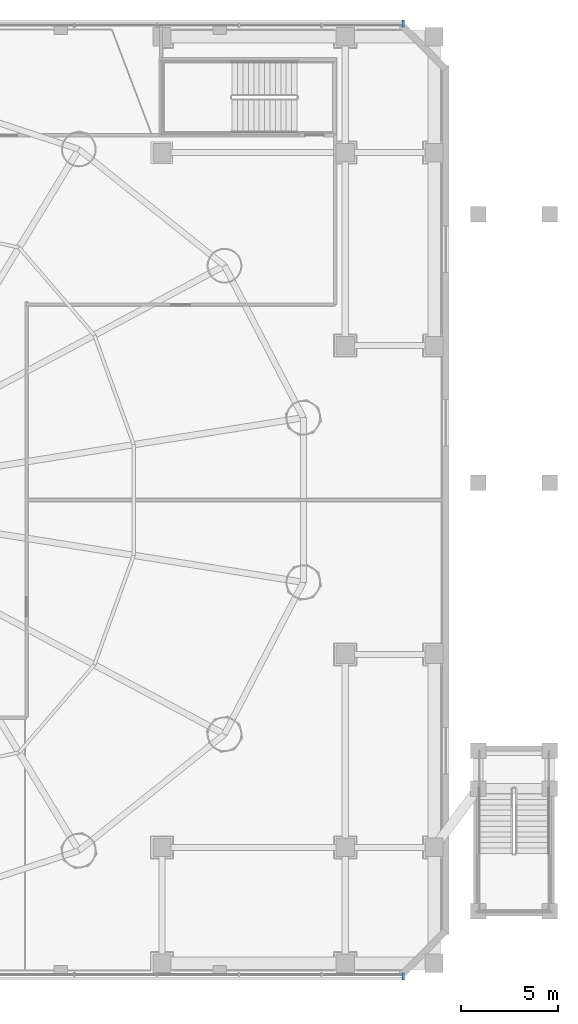
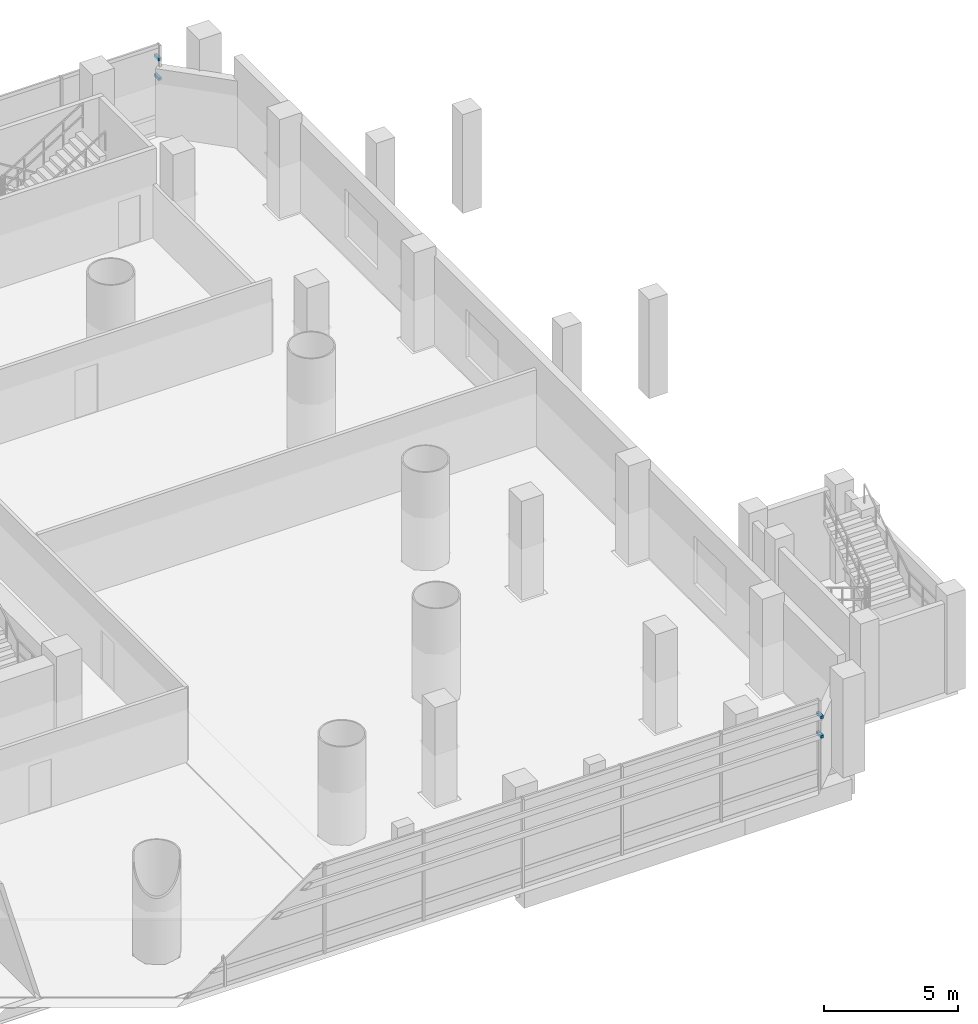
# One storey, part 26 of 36: 4 discrete accessories.
"""IFC4 building model written with IfcOpenShell, lengths in metres."""

from ifc_helpers import new_model, si_unit, direction, frame, origin, origin_2d, place, context, subcontext, project, spatial, rectangle, extrude, source, transform, mapped, material, layer, layer_set, type_object, element, save


model = new_model("IFC4")

# Units and contexts
model_context = context("Model", 3, precision=1e-05, world=origin(), true_north=direction((-0.2419218956, 0.970295726276)))
body_context = subcontext(model_context, "Body", "Model", "MODEL_VIEW")
ifc_project = project(units=[si_unit("LENGTHUNIT", "METRE"), si_unit("AREAUNIT", "SQUARE_METRE"), si_unit("VOLUMEUNIT", "CUBIC_METRE"), si_unit("PLANEANGLEUNIT", "RADIAN"), si_unit("MASSUNIT", "GRAM", prefix="KILO")], contexts=[model_context])

# Site, building, storey
site_placement = place(None, origin())
site = spatial("IfcSite", under=ifc_project, at=site_placement, CompositionType="ELEMENT")
building_placement = place(site_placement, origin())
building = spatial("IfcBuilding", under=site, at=building_placement, Name="Cobrevalo Terracotta Tower", CompositionType="ELEMENT")
storey_placement = place(building_placement, frame((0.0, 0.0, 14.39990234375)))
storey = spatial("IfcBuildingStorey", under=building, at=storey_placement, Name="L03", CompositionType="ELEMENT", Elevation=14.39990234375)

# Discrete accessories
ifc_material = material(Name="Brushed stainless steel", Category="steel")
ifc_layer = layer(ifc_material, 0.1201171875)
ifc_layer_set = layer_set([ifc_layer], Name="Brushed stainless steel")
discrete_accessory_type = type_object("IfcDiscreteAccessoryType", Name="Stainless Steel Facade & Canopy Support Bracket", PredefinedType="BRACKET", material=ifc_layer_set)
shared_shape = source(origin(), body_context, "Body", "SweptSolid", [
    extrude(rectangle(XDim=0.1201171875, YDim=0.360107421875, at=origin_2d()), origin(), (0.0, 0.0, 1.0), 0.1201171875),
])
for number, where, z_axis, x_axis, name in (
    (1, (70.010009765625, 2.110107421875, 2.450927734375), (0.0, 0.0, 1.0), (1.0, 0.0, 0.0), "CW-POD-L03-S stainless baguette support bracket 1-B"),
    (2, (70.010009765625, 2.110107421875, 3.342041015625), (0.0, 0.0, 1.0), (1.0, 0.0, 0.0), "CW-POD-L03-S stainless baguette support bracket 2-B"),
    (3, (70.010009765625, 51.489990234375, 2.450927734375), (0.0, 0.0, 1.0), (-1.0, 0.0, 0.0), "CW-POD-L03-N stainless baguette support bracket 1-A"),
    (4, (70.010009765625, 51.489990234375, 3.342041015625), (0.0, 0.0, 1.0), (-1.0, 0.0, 0.0), "CW-POD-L03-N stainless baguette support bracket 2-A"),
):
    element("IfcDiscreteAccessory", number, at=place(storey_placement, frame(where, z_axis=z_axis, x_axis=x_axis)), inside=storey, type_object=discrete_accessory_type, Name=name, PredefinedType="BRACKET", context=body_context, shape_type="MappedRepresentation", body=[
        mapped(shared_shape, transform((0.0, 0.0, 0.0), scale=1.0)),
    ])

save(model, "model.ifc")
